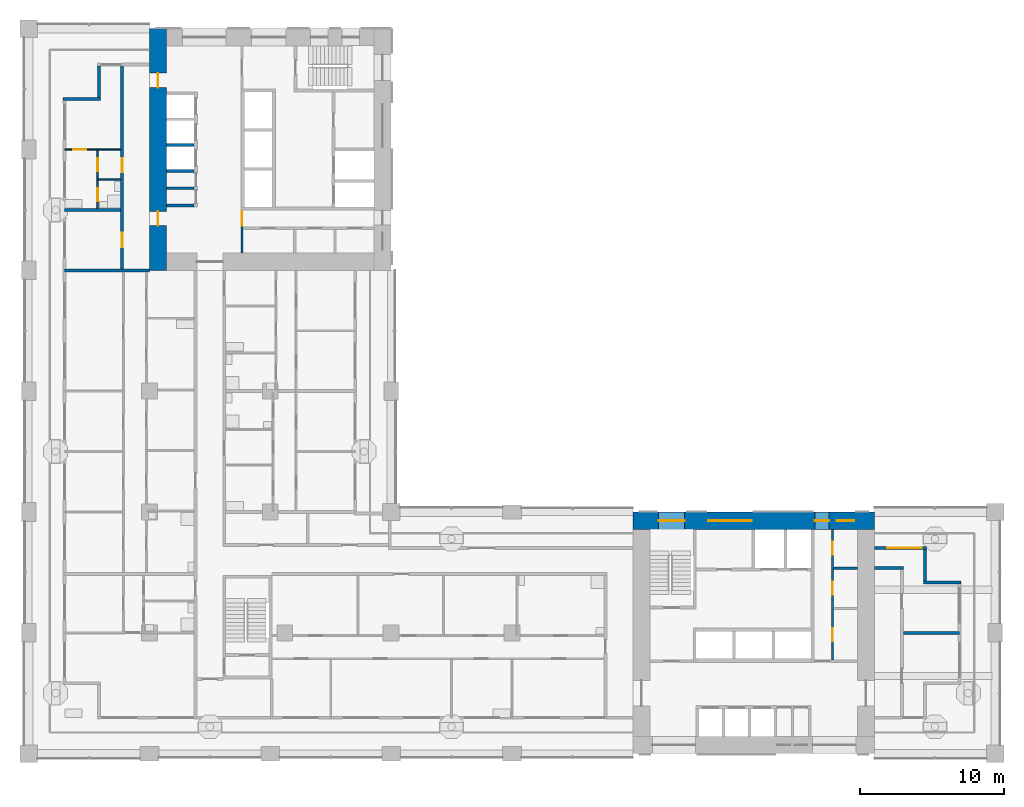
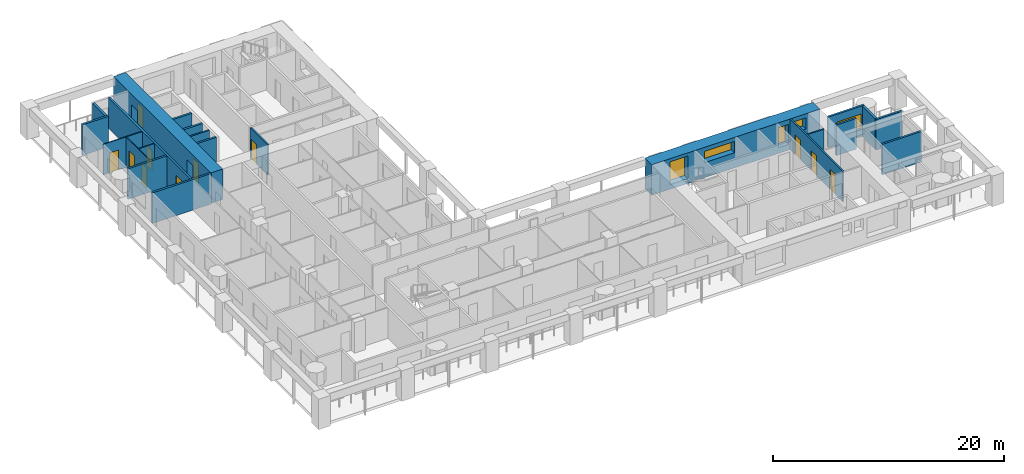
# One storey, part 6 of 18: 22 walls, 11 doors, 5 windows, 16 openings.
"""IFC4 building model written with IfcOpenShell, lengths in metres."""

from ifc_helpers import new_model, si_unit, direction, frame, frame_2d, origin, place, context, subcontext, project, spatial, rectangle, extrude, material, layer, layer_set, type_object, element, fill, save


model = new_model("IFC4")

# Units and contexts
model_context = context("Model", 3, precision=1e-05, world=origin(), true_north=direction((0.0, 1.0)))
body_context = subcontext(model_context, "Body", "Model", "MODEL_VIEW")
ifc_project = project(units=[si_unit("LENGTHUNIT", "METRE"), si_unit("AREAUNIT", "SQUARE_METRE"), si_unit("VOLUMEUNIT", "CUBIC_METRE"), si_unit("PLANEANGLEUNIT", "RADIAN"), si_unit("MASSUNIT", "GRAM", prefix="KILO")], contexts=[model_context])

# Site, building, storey
site_placement = place(None, origin())
site = spatial("IfcSite", under=ifc_project, at=site_placement, CompositionType="ELEMENT")
building_placement = place(site_placement, origin())
building = spatial("IfcBuilding", under=site, at=building_placement, Name="Vermilion Gate Residences", CompositionType="ELEMENT")
storey_placement = place(building_placement, frame((0.0, 0.0, 84.699951171875)))
storey = spatial("IfcBuildingStorey", under=building, at=storey_placement, Name="L20", CompositionType="ELEMENT", Elevation=84.699951171875)

# Wall
ifc_material_1 = material(Name="Masonry blockwork", Category="masonry")
ifc_layer_1 = layer(ifc_material_1, 0.14990234375)
ifc_layer_set_1 = layer_set([ifc_layer_1], Name="BLOCKWORK PARTITION 150 EI 120")
wall_type_1 = type_object("IfcWallType", Name="BLOCKWORK PARTITION 150 EI 120", PredefinedType="PARTITIONING", material=ifc_layer_set_1)
wall_1_placement = place(storey_placement, frame((55.949951171875, 21.284912109375, 0.0), z_axis=(0.0, 0.0, 1.0), x_axis=(1.0, 0.0, 0.0)))
element("IfcWall", 1, at=wall_1_placement, inside=storey, type_object=wall_type_1, Name="Core room partition A20-ES-P1", PredefinedType="PARTITIONING", context=body_context, shape_type="SweptSolid", body=[
    extrude(rectangle(XDim=1.650146484375, YDim=0.14990234375, at=frame_2d((0.8251953125, 0.0))), origin(), (0.0, 0.0, 1.0), 3.219970703125),
])

# Wall, openings, doors
wall_2_placement = place(storey_placement, frame((55.875, 14.89990234375, 0.0), z_axis=(0.0, 0.0, 1.0), x_axis=(0.0, 1.0, 0.0)))
wall_2 = element("IfcWall", 2, at=wall_2_placement, inside=storey, type_object=wall_type_1, Name="Core room partition A20-ES-W", PredefinedType="PARTITIONING", context=body_context, shape_type="SweptSolid", body=[
    extrude(rectangle(XDim=9.10009765625, YDim=0.14990234375, at=frame_2d((4.550048828125, 0.0))), origin(), (0.0, 0.0, 1.0), 3.219970703125),
])
opening_1_placement = place(wall_2_placement, frame((1.31005859375, 0.0, 0.0)))
opening_1 = element("IfcOpeningElement", 3, at=opening_1_placement, cuts=wall_2, Name="Opening DK20014", PredefinedType="OPENING", context=body_context, shape_type="SweptSolid", body=[
    extrude(rectangle(XDim=0.89990234375, YDim=2.10009765625, at=frame_2d((0.449951171875, 1.050048828125))), frame((0.0, 0.0849609375, 0.0), z_axis=(0.0, -1.0, 0.0), x_axis=(1.0, 0.0, 0.0)), (0.0, 0.0, 1.0), 0.169921875),
])
opening_2_placement = place(wall_2_placement, frame((4.5400390625, 0.0, 0.0)))
opening_2 = element("IfcOpeningElement", 4, at=opening_2_placement, cuts=wall_2, Name="Opening DK20015", PredefinedType="OPENING", context=body_context, shape_type="SweptSolid", body=[
    extrude(rectangle(XDim=0.89990234375, YDim=2.10009765625, at=frame_2d((0.449951171875, 1.050048828125))), frame((0.0, 0.0849609375, 0.0), z_axis=(0.0, -1.0, 0.0), x_axis=(1.0, 0.0, 0.0)), (0.0, 0.0, 1.0), 0.169921875),
])
opening_3_placement = place(wall_2_placement, frame((7.330078125, 0.0, 0.0)))
opening_3 = element("IfcOpeningElement", 5, at=opening_3_placement, cuts=wall_2, Name="Opening DK20016", PredefinedType="OPENING", context=body_context, shape_type="SweptSolid", body=[
    extrude(rectangle(XDim=0.89990234375, YDim=2.10009765625, at=frame_2d((0.449951171875, 1.050048828125))), frame((0.0, 0.0849609375, 0.0), z_axis=(0.0, -1.0, 0.0), x_axis=(1.0, 0.0, 0.0)), (0.0, 0.0, 1.0), 0.169921875),
])
ifc_material_2 = material(Name="Steel", Category="steel")
door_type_1 = type_object("IfcDoorType", Name="SERVICE ROOM DOOR FD60 900 X 2100", OperationType="SINGLE_SWING_LEFT", PredefinedType="DOOR", material=ifc_material_2)
door_1_placement = place(opening_1_placement, frame((0.89990234375, 0.0, 0.0), z_axis=(0.0, 0.0, 1.0), x_axis=(-1.0, 0.0, 0.0)))
door_1 = element("IfcDoor", 6, at=door_1_placement, inside=storey, type_object=door_type_1, Name="Parcel room A20", OperationType="SINGLE_SWING_RIGHT", OverallHeight=2.10009765625, OverallWidth=0.89990234375, PredefinedType="DOOR", context=body_context, shape_type="SweptSolid", body=[
    extrude(rectangle(XDim=0.89990234375, YDim=2.10009765625, at=frame_2d((0.449951171875, 1.050048828125))), frame((0.0, 0.02490234375, 0.0), z_axis=(0.0, -1.0, 0.0), x_axis=(1.0, 0.0, 0.0)), (0.0, 0.0, 1.0), 0.050048828125),
])
fill(opening_1, door_1)
door_2_placement = place(opening_2_placement, frame((0.89990234375, 0.0, 0.0), z_axis=(0.0, 0.0, 1.0), x_axis=(-1.0, 0.0, 0.0)))
door_2 = element("IfcDoor", 7, at=door_2_placement, inside=storey, type_object=door_type_1, Name="Cleaner's store A20", OperationType="SINGLE_SWING_RIGHT", OverallHeight=2.10009765625, OverallWidth=0.89990234375, PredefinedType="DOOR", context=body_context, shape_type="SweptSolid", body=[
    extrude(rectangle(XDim=0.89990234375, YDim=2.10009765625, at=frame_2d((0.449951171875, 1.050048828125))), frame((0.0, 0.02490234375, 0.0), z_axis=(0.0, -1.0, 0.0), x_axis=(1.0, 0.0, 0.0)), (0.0, 0.0, 1.0), 0.050048828125),
])
fill(opening_2, door_2)
door_3_placement = place(opening_3_placement, frame((0.89990234375, 0.0, 0.0), z_axis=(0.0, 0.0, 1.0), x_axis=(-1.0, 0.0, 0.0)))
door_3 = element("IfcDoor", 8, at=door_3_placement, inside=storey, type_object=door_type_1, Name="Electrical room A20", OperationType="SINGLE_SWING_LEFT", OverallHeight=2.10009765625, OverallWidth=0.89990234375, PredefinedType="DOOR", context=body_context, shape_type="SweptSolid", body=[
    extrude(rectangle(XDim=0.89990234375, YDim=2.10009765625, at=frame_2d((0.449951171875, 1.050048828125))), frame((0.0, 0.02490234375, 0.0), z_axis=(0.0, -1.0, 0.0), x_axis=(1.0, 0.0, 0.0)), (0.0, 0.0, 1.0), 0.050048828125),
])
fill(opening_3, door_3)

# Wall
wall_3_placement = place(storey_placement, frame((9.60009765625, 47.699951171875, 0.0), z_axis=(0.0, 0.0, 1.0), x_axis=(1.0, 0.0, 0.0)))
element("IfcWall", 9, at=wall_3_placement, inside=storey, type_object=wall_type_1, Name="Core room partition B20-SR-P0", PredefinedType="PARTITIONING", context=body_context, shape_type="SweptSolid", body=[
    extrude(rectangle(XDim=1.89990234375, YDim=0.14990234375, at=frame_2d((0.949951171875, 0.0))), origin(), (0.0, 0.0, 1.0), 3.219970703125),
])

# Wall, opening, door
wall_4_placement = place(storey_placement, frame((14.824951171875, 46.199951171875, 0.0), z_axis=(0.0, 0.0, 1.0), x_axis=(0.0, -1.0, 0.0)))
wall_4 = element("IfcWall", 10, at=wall_4_placement, inside=storey, type_object=wall_type_1, Name="Core room partition B20-ES-S", PredefinedType="PARTITIONING", context=body_context, shape_type="SweptSolid", body=[
    extrude(rectangle(XDim=3.0, YDim=0.14990234375, at=frame_2d((1.5, 0.0))), origin(), (0.0, 0.0, 1.0), 3.219970703125),
])
opening_4_placement = place(wall_4_placement, frame((0.10009765625, 0.0, 0.0)))
opening_4 = element("IfcOpeningElement", 11, at=opening_4_placement, cuts=wall_4, Name="Opening DK20114", PredefinedType="OPENING", context=body_context, shape_type="SweptSolid", body=[
    extrude(rectangle(XDim=1.0, YDim=2.10009765625, at=frame_2d((0.5, 1.050048828125))), frame((0.0, 0.0849609375, 0.0), z_axis=(0.0, -1.0, 0.0), x_axis=(1.0, 0.0, 0.0)), (0.0, 0.0, 1.0), 0.169921875),
])
ifc_material_3 = material(Name="Steel", Category="steel")
door_type_2 = type_object("IfcDoorType", Name="FIRE DOOR FD60 1000 X 2100", OperationType="SINGLE_SWING_LEFT", PredefinedType="DOOR", material=ifc_material_3)
door_4_placement = place(opening_4_placement, frame((1.0, 0.0, 0.0), z_axis=(0.0, 0.0, 1.0), x_axis=(-1.0, 0.0, 0.0)))
door_4 = element("IfcDoor", 12, at=door_4_placement, inside=storey, type_object=door_type_2, Name="Service corridor door B20", OperationType="SINGLE_SWING_LEFT", OverallHeight=2.10009765625, OverallWidth=1.0, PredefinedType="DOOR", context=body_context, shape_type="SweptSolid", body=[
    extrude(rectangle(XDim=1.0, YDim=2.10009765625, at=frame_2d((0.5, 1.050048828125))), frame((0.0, 0.02490234375, 0.0), z_axis=(0.0, -1.0, 0.0), x_axis=(1.0, 0.0, 0.0)), (0.0, 0.0, 1.0), 0.050048828125),
])
fill(opening_4, door_4)

# Walls
ifc_material_4 = material(Name="Insulated steel stud wall with terracotta rainscreen", Category="masonry")
ifc_layer_2 = layer(ifc_material_4, 0.199951171875)
ifc_layer_set_2 = layer_set([ifc_layer_2], Name="EXTERNAL WALL 200 TERRACOTTA RAINSCREEN")
wall_type_2 = type_object("IfcWallType", Name="EXTERNAL WALL 200 TERRACOTTA RAINSCREEN", PredefinedType="SOLIDWALL", material=ifc_layer_set_2)
wall_5_placement = place(storey_placement, frame((4.89990234375, 56.199951171875, 0.0), z_axis=(0.0, 0.0, 1.0), x_axis=(0.0, -1.0, 0.0)))
element("IfcWall", 13, at=wall_5_placement, inside=storey, type_object=wall_type_2, Name="External wall", PredefinedType="SOLIDWALL", context=body_context, shape_type="SweptSolid", body=[
    extrude(rectangle(XDim=2.199951171875, YDim=0.199951171875, at=frame_2d((1.10009765625, 0.0))), origin(), (0.0, 0.0, 1.0), 3.219970703125),
])
for number, where, z_axis, x_axis, name in (
    (14, (5.0, 53.89990234375, 0.0), (0.0, 0.0, 1.0), (-1.0, 0.0, 0.0), "External wall"),
    (15, (64.800048828125, 20.300048828125, 0.0), (0.0, 0.0, 1.0), (-1.0, 0.0, 0.0), "External wall"),
):
    element("IfcWall", number, at=place(storey_placement, frame(where, z_axis=z_axis, x_axis=x_axis)), inside=storey, type_object=wall_type_2, Name=name, PredefinedType="SOLIDWALL", context=body_context, shape_type="SweptSolid", body=[
        extrude(rectangle(XDim=2.60009765625, YDim=0.199951171875, at=frame_2d((1.300048828125, 0.0))), origin(), (0.0, 0.0, 1.0), 3.219970703125),
    ])
wall_6_placement = place(storey_placement, frame((62.300048828125, 20.39990234375, 0.0), z_axis=(0.0, 0.0, 1.0), x_axis=(0.0, 1.0, 0.0)))
element("IfcWall", 16, at=wall_6_placement, inside=storey, type_object=wall_type_2, Name="External wall", PredefinedType="SOLIDWALL", context=body_context, shape_type="SweptSolid", body=[
    extrude(rectangle(XDim=2.2001953125, YDim=0.199951171875, at=frame_2d((1.10009765625, 0.0))), origin(), (0.0, 0.0, 1.0), 3.219970703125),
])

# Wall, opening, window
wall_7_placement = place(storey_placement, frame((62.39990234375, 22.699951171875, 0.0), z_axis=(0.0, 0.0, 1.0), x_axis=(-1.0, 0.0, 0.0)))
wall_7 = element("IfcWall", 17, at=wall_7_placement, inside=storey, type_object=wall_type_2, Name="External wall", PredefinedType="SOLIDWALL", context=body_context, shape_type="SweptSolid", body=[
    extrude(rectangle(XDim=3.599853515625, YDim=0.199951171875, at=frame_2d((1.7998046875, 0.0))), origin(), (0.0, 0.0, 1.0), 3.219970703125),
])
opening_5_placement = place(wall_7_placement, frame((0.300048828125, 0.0, 0.89990234375)))
opening_5 = element("IfcOpeningElement", 18, at=opening_5_placement, cuts=wall_7, Name="Opening WE20023", PredefinedType="OPENING", context=body_context, shape_type="SweptSolid", body=[
    extrude(rectangle(XDim=2.39990234375, YDim=1.5, at=frame_2d((1.199951171875, 0.75))), frame((0.0, 0.10986328125, 0.0), z_axis=(0.0, -1.0, 0.0), x_axis=(1.0, 0.0, 0.0)), (0.0, 0.0, 1.0), 0.219970703125),
])
ifc_material_5 = material(Name="Aluminium and clear glass", Category="aluminium")
window_type_1 = type_object("IfcWindowType", Name="WINDOW 2400 X 1500", PartitioningType="SINGLE_PANEL", PredefinedType="WINDOW", material=ifc_material_5)
window_1_placement = place(opening_5_placement, origin())
window_1 = element("IfcWindow", 19, at=window_1_placement, inside=storey, type_object=window_type_1, Name="Window", OverallHeight=1.5, OverallWidth=2.39990234375, PartitioningType="SINGLE_PANEL", PredefinedType="WINDOW", context=body_context, shape_type="SweptSolid", body=[
    extrude(rectangle(XDim=2.39990234375, YDim=1.5, at=frame_2d((1.199951171875, 0.75))), frame((0.0, 0.030029296875, 0.0), z_axis=(0.0, -1.0, 0.0), x_axis=(1.0, 0.0, 0.0)), (0.0, 0.0, 1.0), 0.06005859375),
])
fill(opening_5, window_1)

# Wall
ifc_material_6 = material(Name="Plasterboard on steel studs", Category="steel")
ifc_layer_3 = layer(ifc_material_6, 0.10009765625)
ifc_layer_set_3 = layer_set([ifc_layer_3], Name="PARTITION 100")
wall_type_3 = type_object("IfcWallType", Name="PARTITION 100", PredefinedType="PARTITIONING", material=ifc_layer_set_3)
wall_8_placement = place(storey_placement, frame((4.85009765625, 48.300048828125, 0.0), z_axis=(0.0, 0.0, 1.0), x_axis=(1.0, 0.0, 0.0)))
element("IfcWall", 20, at=wall_8_placement, inside=storey, type_object=wall_type_3, Name="Partition", PredefinedType="PARTITIONING", context=body_context, shape_type="SweptSolid", body=[
    extrude(rectangle(XDim=1.5498046875, YDim=0.10009765625, at=frame_2d((0.77490234375, 0.0))), origin(), (0.0, 0.0, 1.0), 3.219970703125),
])

# Wall, opening, door
wall_9_placement = place(storey_placement, frame((2.5, 50.39990234375, 0.0), z_axis=(0.0, 0.0, 1.0), x_axis=(1.0, 0.0, 0.0)))
wall_9 = element("IfcWall", 21, at=wall_9_placement, inside=storey, type_object=wall_type_3, Name="Partition", PredefinedType="PARTITIONING", context=body_context, shape_type="SweptSolid", body=[
    extrude(rectangle(XDim=3.89990234375, YDim=0.10009765625, at=frame_2d((1.949951171875, 0.0))), origin(), (0.0, 0.0, 1.0), 3.219970703125),
])
opening_6_placement = place(wall_9_placement, frame((0.60009765625, 0.0, 0.0)))
opening_6 = element("IfcOpeningElement", 22, at=opening_6_placement, cuts=wall_9, Name="Opening DA19014", PredefinedType="OPENING", context=body_context, shape_type="SweptSolid", body=[
    extrude(rectangle(XDim=0.89990234375, YDim=2.10009765625, at=frame_2d((0.449951171875, 1.050048828125))), frame((0.0, 0.06005859375, 0.0), z_axis=(0.0, -1.0, 0.0), x_axis=(1.0, 0.0, 0.0)), (0.0, 0.0, 1.0), 0.1201171875),
])
ifc_material_7 = material(Name="Timber", Category="wood")
door_type_3 = type_object("IfcDoorType", Name="INTERIOR DOOR 900 X 2100", OperationType="SINGLE_SWING_LEFT", PredefinedType="DOOR", material=ifc_material_7)
door_5_placement = place(opening_6_placement, frame((0.89990234375, 0.0, 0.0), z_axis=(0.0, 0.0, 1.0), x_axis=(-1.0, 0.0, 0.0)))
door_5 = element("IfcDoor", 23, at=door_5_placement, inside=storey, type_object=door_type_3, Name="Interior door", OperationType="SINGLE_SWING_RIGHT", OverallHeight=2.10009765625, OverallWidth=0.89990234375, PredefinedType="DOOR", context=body_context, shape_type="SweptSolid", body=[
    extrude(rectangle(XDim=0.89990234375, YDim=2.10009765625, at=frame_2d((0.449951171875, 1.050048828125))), frame((0.0, 0.02490234375, 0.0), z_axis=(0.0, -1.0, 0.0), x_axis=(1.0, 0.0, 0.0)), (0.0, 0.0, 1.0), 0.050048828125),
])
fill(opening_6, door_5)

# Wall, openings, doors
wall_10_placement = place(storey_placement, frame((4.800048828125, 46.300048828125, 0.0), z_axis=(0.0, 0.0, 1.0), x_axis=(0.0, 1.0, 0.0)))
wall_10 = element("IfcWall", 24, at=wall_10_placement, inside=storey, type_object=wall_type_3, Name="Partition", PredefinedType="PARTITIONING", context=body_context, shape_type="SweptSolid", body=[
    extrude(rectangle(XDim=4.050048828125, YDim=0.10009765625, at=frame_2d((2.02490234375, 0.0))), origin(), (0.0, 0.0, 1.0), 3.219970703125),
])
opening_7_placement = place(wall_10_placement, frame((2.60009765625, 0.0, 0.0)))
opening_7 = element("IfcOpeningElement", 25, at=opening_7_placement, cuts=wall_10, Name="Opening DA19015", PredefinedType="OPENING", context=body_context, shape_type="SweptSolid", body=[
    extrude(rectangle(XDim=0.89990234375, YDim=2.10009765625, at=frame_2d((0.449951171875, 1.050048828125))), frame((0.0, 0.06005859375, 0.0), z_axis=(0.0, -1.0, 0.0), x_axis=(1.0, 0.0, 0.0)), (0.0, 0.0, 1.0), 0.1201171875),
])
opening_8_placement = place(wall_10_placement, frame((0.5, 0.0, 0.0)))
opening_8 = element("IfcOpeningElement", 26, at=opening_8_placement, cuts=wall_10, Name="Opening DA19016", PredefinedType="OPENING", context=body_context, shape_type="SweptSolid", body=[
    extrude(rectangle(XDim=0.89990234375, YDim=2.10009765625, at=frame_2d((0.449951171875, 1.050048828125))), frame((0.0, 0.06005859375, 0.0), z_axis=(0.0, -1.0, 0.0), x_axis=(1.0, 0.0, 0.0)), (0.0, 0.0, 1.0), 0.1201171875),
])
door_6_placement = place(opening_7_placement, origin())
door_6 = element("IfcDoor", 27, at=door_6_placement, inside=storey, type_object=door_type_3, Name="Interior door", OperationType="SINGLE_SWING_RIGHT", OverallHeight=2.10009765625, OverallWidth=0.89990234375, PredefinedType="DOOR", context=body_context, shape_type="SweptSolid", body=[
    extrude(rectangle(XDim=0.89990234375, YDim=2.10009765625, at=frame_2d((0.449951171875, 1.050048828125))), frame((0.0, 0.02490234375, 0.0), z_axis=(0.0, -1.0, 0.0), x_axis=(1.0, 0.0, 0.0)), (0.0, 0.0, 1.0), 0.050048828125),
])
fill(opening_7, door_6)
door_7_placement = place(opening_8_placement, frame((0.89990234375, 0.0, 0.0), z_axis=(0.0, 0.0, 1.0), x_axis=(-1.0, 0.0, 0.0)))
door_7 = element("IfcDoor", 28, at=door_7_placement, inside=storey, type_object=door_type_3, Name="Interior door", OperationType="SINGLE_SWING_RIGHT", OverallHeight=2.10009765625, OverallWidth=0.89990234375, PredefinedType="DOOR", context=body_context, shape_type="SweptSolid", body=[
    extrude(rectangle(XDim=0.89990234375, YDim=2.10009765625, at=frame_2d((0.449951171875, 1.050048828125))), frame((0.0, 0.02490234375, 0.0), z_axis=(0.0, -1.0, 0.0), x_axis=(1.0, 0.0, 0.0)), (0.0, 0.0, 1.0), 0.050048828125),
])
fill(opening_8, door_7)

# Walls
ifc_material_8 = material(Name="Fire-rated plasterboard on steel studs", Category="steel")
ifc_layer_4 = layer(ifc_material_8, 0.199951171875)
ifc_layer_set_4 = layer_set([ifc_layer_4], Name="PARTY WALL 200 EI 120")
wall_type_4 = type_object("IfcWallType", Name="PARTY WALL 200 EI 120", PredefinedType="PARTITIONING", material=ifc_layer_set_4)
wall_11_placement = place(storey_placement, frame((60.800048828125, 16.800048828125, 0.0), z_axis=(0.0, 0.0, 1.0), x_axis=(1.0, 0.0, 0.0)))
element("IfcWall", 29, at=wall_11_placement, inside=storey, type_object=wall_type_4, Name="Party and corridor wall", PredefinedType="PARTITIONING", context=body_context, shape_type="SweptSolid", body=[
    extrude(rectangle(XDim=3.89990234375, YDim=0.199951171875, at=frame_2d((1.949951171875, 0.0))), origin(), (0.0, 0.0, 1.0), 3.219970703125),
])
wall_12_placement = place(storey_placement, frame((58.800048828125, 21.300048828125, 0.0), z_axis=(0.0, 0.0, 1.0), x_axis=(1.0, 0.0, 0.0)))
element("IfcWall", 30, at=wall_12_placement, inside=storey, type_object=wall_type_4, Name="Party and corridor wall", PredefinedType="PARTITIONING", context=body_context, shape_type="SweptSolid", body=[
    extrude(rectangle(XDim=2.0, YDim=0.199951171875, at=frame_2d((1.0, 0.0))), origin(), (0.0, 0.0, 1.0), 3.219970703125),
])
wall_13_placement = place(storey_placement, frame((2.5, 42.0, 0.0), z_axis=(0.0, 0.0, 1.0), x_axis=(1.0, 0.0, 0.0)))
element("IfcWall", 31, at=wall_13_placement, inside=storey, type_object=wall_type_4, Name="Party and corridor wall", PredefinedType="PARTITIONING", context=body_context, shape_type="SweptSolid", body=[
    extrude(rectangle(XDim=5.89990234375, YDim=0.199951171875, at=frame_2d((2.949951171875, 0.0))), origin(), (0.0, 0.0, 1.0), 3.219970703125),
])
wall_14_placement = place(storey_placement, frame((2.5, 46.199951171875, 0.0), z_axis=(0.0, 0.0, 1.0), x_axis=(1.0, 0.0, 0.0)))
element("IfcWall", 32, at=wall_14_placement, inside=storey, type_object=wall_type_4, Name="Party and corridor wall", PredefinedType="PARTITIONING", context=body_context, shape_type="SweptSolid", body=[
    extrude(rectangle(XDim=3.89990234375, YDim=0.199951171875, at=frame_2d((1.949951171875, 0.0))), origin(), (0.0, 0.0, 1.0), 3.219970703125),
])

# Wall, openings, doors
wall_15_placement = place(storey_placement, frame((6.5, 42.10009765625, 0.0), z_axis=(0.0, 0.0, 1.0), x_axis=(0.0, 1.0, 0.0)))
wall_15 = element("IfcWall", 33, at=wall_15_placement, inside=storey, type_object=wall_type_4, Name="Party and corridor wall", PredefinedType="PARTITIONING", context=body_context, shape_type="SweptSolid", body=[
    extrude(rectangle(XDim=14.199951171875, YDim=0.199951171875, at=frame_2d((7.10009765625, 0.0))), origin(), (0.0, 0.0, 1.0), 3.219970703125),
])
opening_9_placement = place(wall_15_placement, frame((1.5, 0.0, 0.0)))
opening_9 = element("IfcOpeningElement", 34, at=opening_9_placement, cuts=wall_15, Name="Opening DA19017", PredefinedType="OPENING", context=body_context, shape_type="SweptSolid", body=[
    extrude(rectangle(XDim=1.0, YDim=2.10009765625, at=frame_2d((0.5, 1.050048828125))), frame((0.0, 0.10986328125, 0.0), z_axis=(0.0, -1.0, 0.0), x_axis=(1.0, 0.0, 0.0)), (0.0, 0.0, 1.0), 0.219970703125),
])
opening_10_placement = place(wall_15_placement, frame((6.699951171875, 0.0, 0.0)))
opening_10 = element("IfcOpeningElement", 35, at=opening_10_placement, cuts=wall_15, Name="Opening DA19018", PredefinedType="OPENING", context=body_context, shape_type="SweptSolid", body=[
    extrude(rectangle(XDim=1.0, YDim=2.10009765625, at=frame_2d((0.5, 1.050048828125))), frame((0.0, 0.10986328125, 0.0), z_axis=(0.0, -1.0, 0.0), x_axis=(1.0, 0.0, 0.0)), (0.0, 0.0, 1.0), 0.219970703125),
])
ifc_material_9 = material(Name="Steel", Category="steel")
door_type_4 = type_object("IfcDoorType", Name="ENTRANCE DOOR 1000 X 2100 FD30", OperationType="SINGLE_SWING_LEFT", PredefinedType="DOOR", material=ifc_material_9)
door_8_placement = place(opening_9_placement, origin())
door_8 = element("IfcDoor", 36, at=door_8_placement, inside=storey, type_object=door_type_4, Name="Entrance door", OperationType="SINGLE_SWING_LEFT", OverallHeight=2.10009765625, OverallWidth=1.0, PredefinedType="DOOR", context=body_context, shape_type="SweptSolid", body=[
    extrude(rectangle(XDim=1.0, YDim=2.10009765625, at=frame_2d((0.5, 1.050048828125))), frame((0.0, 0.02490234375, 0.0), z_axis=(0.0, -1.0, 0.0), x_axis=(1.0, 0.0, 0.0)), (0.0, 0.0, 1.0), 0.050048828125),
])
fill(opening_9, door_8)
door_9_placement = place(opening_10_placement, origin())
door_9 = element("IfcDoor", 37, at=door_9_placement, inside=storey, type_object=door_type_4, Name="Entrance door", OperationType="SINGLE_SWING_LEFT", OverallHeight=2.10009765625, OverallWidth=1.0, PredefinedType="DOOR", context=body_context, shape_type="SweptSolid", body=[
    extrude(rectangle(XDim=1.0, YDim=2.10009765625, at=frame_2d((0.5, 1.050048828125))), frame((0.0, 0.02490234375, 0.0), z_axis=(0.0, -1.0, 0.0), x_axis=(1.0, 0.0, 0.0)), (0.0, 0.0, 1.0), 0.050048828125),
])
fill(opening_10, door_9)

# Walls
ifc_material_10 = material(Name="Concrete C60", Category="concrete")
ifc_layer_5 = layer(ifc_material_10, 0.199951171875)
ifc_layer_set_5 = layer_set([ifc_layer_5], Name="RC CORE INTERNAL WALL 200 C60")
wall_type_5 = type_object("IfcWallType", Name="RC CORE INTERNAL WALL 200 C60", PredefinedType="SHEAR", material=ifc_layer_set_5)
for number, where, z_axis, x_axis, name in (
    (38, (9.60009765625, 50.699951171875, 0.0), (0.0, 0.0, 1.0), (1.0, 0.0, 0.0), "Core internal wall B20-LR-D2"),
    (39, (9.60009765625, 48.89990234375, 0.0), (0.0, 0.0, 1.0), (1.0, 0.0, 0.0), "Core internal wall B20-LR-D3"),
    (40, (9.60009765625, 46.5, 0.0), (0.0, 0.0, 1.0), (1.0, 0.0, 0.0), "Core internal wall B20-LR-DE"),
):
    element("IfcWall", number, at=place(storey_placement, frame(where, z_axis=z_axis, x_axis=x_axis)), inside=storey, type_object=wall_type_5, Name=name, PredefinedType="SHEAR", context=body_context, shape_type="SweptSolid", body=[
        extrude(rectangle(XDim=1.89990234375, YDim=0.199951171875, at=frame_2d((0.949951171875, 0.0))), origin(), (0.0, 0.0, 1.0), 3.219970703125),
    ])

# Wall, openings, doors
ifc_material_11 = material(Name="Concrete C70", Category="concrete")
ifc_layer_6 = layer(ifc_material_11, 1.199951171875)
ifc_layer_set_6 = layer_set([ifc_layer_6], Name="RC CORE WALL 1200 C70")
wall_type_6 = type_object("IfcWallType", Name="RC CORE WALL 1200 C70", PredefinedType="SHEAR", material=ifc_layer_set_6)
wall_16_placement = place(storey_placement, frame((9.0, 58.800048828125, 0.0), z_axis=(0.0, 0.0, 1.0), x_axis=(0.0, -1.0, 0.0)))
wall_16 = element("IfcWall", 41, at=wall_16_placement, inside=storey, type_object=wall_type_6, Name="Core wall B20-OUT-B0", PredefinedType="SHEAR", context=body_context, shape_type="SweptSolid", body=[
    extrude(rectangle(XDim=16.800048828125, YDim=1.199951171875, at=frame_2d((8.39990234375, 0.0))), origin(), (0.0, 0.0, 1.0), 3.219970703125),
])
opening_11_placement = place(wall_16_placement, frame((3.10009765625, 0.0, 0.0)))
opening_11 = element("IfcOpeningElement", 42, at=opening_11_placement, cuts=wall_16, Name="Opening DK20101", PredefinedType="OPENING", context=body_context, shape_type="SweptSolid", body=[
    extrude(rectangle(XDim=1.0, YDim=2.10009765625, at=frame_2d((0.5, 1.050048828125))), frame((0.0, 0.60986328125, 0.0), z_axis=(0.0, -1.0, 0.0), x_axis=(1.0, 0.0, 0.0)), (0.0, 0.0, 1.0), 1.219970703125),
])
opening_12_placement = place(wall_16_placement, frame((12.699951171875, 0.0, 0.0)))
opening_12 = element("IfcOpeningElement", 43, at=opening_12_placement, cuts=wall_16, Name="Opening DK20102", PredefinedType="OPENING", context=body_context, shape_type="SweptSolid", body=[
    extrude(rectangle(XDim=1.0, YDim=2.10009765625, at=frame_2d((0.5, 1.050048828125))), frame((0.0, 0.60986328125, 0.0), z_axis=(0.0, -1.0, 0.0), x_axis=(1.0, 0.0, 0.0)), (0.0, 0.0, 1.0), 1.219970703125),
])
door_10_placement = place(opening_11_placement, origin())
door_10 = element("IfcDoor", 44, at=door_10_placement, inside=storey, type_object=door_type_2, Name="Core lobby side door B20", OperationType="SINGLE_SWING_RIGHT", OverallHeight=2.10009765625, OverallWidth=1.0, PredefinedType="DOOR", context=body_context, shape_type="SweptSolid", body=[
    extrude(rectangle(XDim=1.0, YDim=2.10009765625, at=frame_2d((0.5, 1.050048828125))), frame((0.0, 0.02490234375, 0.0), z_axis=(0.0, -1.0, 0.0), x_axis=(1.0, 0.0, 0.0)), (0.0, 0.0, 1.0), 0.050048828125),
])
fill(opening_11, door_10)
door_11_placement = place(opening_12_placement, origin())
door_11 = element("IfcDoor", 45, at=door_11_placement, inside=storey, type_object=door_type_2, Name="Core lobby side door B20", OperationType="SINGLE_SWING_LEFT", OverallHeight=2.10009765625, OverallWidth=1.0, PredefinedType="DOOR", context=body_context, shape_type="SweptSolid", body=[
    extrude(rectangle(XDim=1.0, YDim=2.10009765625, at=frame_2d((0.5, 1.050048828125))), frame((0.0, 0.02490234375, 0.0), z_axis=(0.0, -1.0, 0.0), x_axis=(1.0, 0.0, 0.0)), (0.0, 0.0, 1.0), 0.050048828125),
])
fill(opening_12, door_11)

# Wall, openings, windows
ifc_material_12 = material(Name="Concrete C70 red-oxide pigmented", Category="concrete")
ifc_layer_7 = layer(ifc_material_12, 1.199951171875)
ifc_layer_set_7 = layer_set([ifc_layer_7], Name="RC CORE WALL 1200 C70 RED OXIDE")
wall_type_7 = type_object("IfcWallType", Name="RC CORE WALL 1200 C70 RED OXIDE", PredefinedType="SHEAR", material=ifc_layer_set_7)
wall_17_placement = place(storey_placement, frame((42.0, 24.60009765625, 0.0), z_axis=(0.0, 0.0, 1.0), x_axis=(1.0, 0.0, 0.0)))
wall_17 = element("IfcWall", 46, at=wall_17_placement, inside=storey, type_object=wall_type_7, Name="Core wall A20-OUT-B1", PredefinedType="SHEAR", context=body_context, shape_type="SweptSolid", body=[
    extrude(rectangle(XDim=16.800048828125, YDim=1.199951171875, at=frame_2d((8.39990234375, 0.0))), origin(), (0.0, 0.0, 1.0), 3.219970703125),
])
opening_13_placement = place(wall_17_placement, frame((1.800048828125, 0.0, 0.5)))
opening_13 = element("IfcOpeningElement", 47, at=opening_13_placement, cuts=wall_17, Name="Opening WKA2005", PredefinedType="OPENING", context=body_context, shape_type="SweptSolid", body=[
    extrude(rectangle(XDim=1.800048828125, YDim=2.39990234375, at=frame_2d((0.89990234375, 1.199951171875))), frame((0.0, 0.60986328125, 0.0), z_axis=(0.0, -1.0, 0.0), x_axis=(1.0, 0.0, 0.0)), (0.0, 0.0, 1.0), 1.219970703125),
])
opening_14_placement = place(wall_17_placement, frame((5.25, 0.0, 1.60009765625)))
opening_14 = element("IfcOpeningElement", 48, at=opening_14_placement, cuts=wall_17, Name="Opening WKA2006", PredefinedType="OPENING", context=body_context, shape_type="SweptSolid", body=[
    extrude(rectangle(XDim=3.0, YDim=1.199951171875, at=frame_2d((1.5, 0.60009765625))), frame((0.0, 0.60986328125, 0.0), z_axis=(0.0, -1.0, 0.0), x_axis=(1.0, 0.0, 0.0)), (0.0, 0.0, 1.0), 1.219970703125),
])
opening_15_placement = place(wall_17_placement, frame((12.64990234375, 0.0, 0.60009765625)))
opening_15 = element("IfcOpeningElement", 49, at=opening_15_placement, cuts=wall_17, Name="Opening WKA2007", PredefinedType="OPENING", context=body_context, shape_type="SweptSolid", body=[
    extrude(rectangle(XDim=1.0, YDim=2.10009765625, at=frame_2d((0.5, 1.050048828125))), frame((0.0, 0.60986328125, 0.0), z_axis=(0.0, -1.0, 0.0), x_axis=(1.0, 0.0, 0.0)), (0.0, 0.0, 1.0), 1.219970703125),
])
opening_16_placement = place(wall_17_placement, frame((14.175048828125, 0.0, 1.60009765625)))
opening_16 = element("IfcOpeningElement", 50, at=opening_16_placement, cuts=wall_17, Name="Opening WKA2008", PredefinedType="OPENING", context=body_context, shape_type="SweptSolid", body=[
    extrude(rectangle(XDim=1.199951171875, YDim=1.199951171875, at=frame_2d((0.60009765625, 0.60009765625))), frame((0.0, 0.60986328125, 0.0), z_axis=(0.0, -1.0, 0.0), x_axis=(1.0, 0.0, 0.0)), (0.0, 0.0, 1.0), 1.219970703125),
])
ifc_material_13 = material(Name="Aluminium and clear glass", Category="aluminium")
window_type_2 = type_object("IfcWindowType", Name="CORE CORRIDOR WINDOW 1000 X 2100", PartitioningType="SINGLE_PANEL", PredefinedType="WINDOW", material=ifc_material_13)
window_2_placement = place(opening_15_placement, origin())
window_2 = element("IfcWindow", 51, at=window_2_placement, inside=storey, type_object=window_type_2, Name="Core corridor window", OverallHeight=2.10009765625, OverallWidth=1.0, PartitioningType="SINGLE_PANEL", PredefinedType="WINDOW", context=body_context, shape_type="SweptSolid", body=[
    extrude(rectangle(XDim=1.0, YDim=2.10009765625, at=frame_2d((0.5, 1.050048828125))), frame((0.0, 0.030029296875, 0.0), z_axis=(0.0, -1.0, 0.0), x_axis=(1.0, 0.0, 0.0)), (0.0, 0.0, 1.0), 0.06005859375),
])
fill(opening_15, window_2)
ifc_material_14 = material(Name="Aluminium frame with louvre blades", Category="aluminium")
window_type_3 = type_object("IfcWindowType", Name="CORE LOUVRE 1200 X 1200", PartitioningType="SINGLE_PANEL", PredefinedType="WINDOW", material=ifc_material_14)
window_3_placement = place(opening_16_placement, origin())
window_3 = element("IfcWindow", 52, at=window_3_placement, inside=storey, type_object=window_type_3, Name="Core louvre", OverallHeight=1.199951171875, OverallWidth=1.199951171875, PartitioningType="SINGLE_PANEL", PredefinedType="WINDOW", context=body_context, shape_type="SweptSolid", body=[
    extrude(rectangle(XDim=1.199951171875, YDim=1.199951171875, at=frame_2d((0.60009765625, 0.60009765625))), frame((0.0, 0.030029296875, 0.0), z_axis=(0.0, -1.0, 0.0), x_axis=(1.0, 0.0, 0.0)), (0.0, 0.0, 1.0), 0.06005859375),
])
fill(opening_16, window_3)
ifc_material_15 = material(Name="Aluminium frame with louvre blades", Category="aluminium")
window_type_4 = type_object("IfcWindowType", Name="CORE LOUVRE 3000 X 1200", PartitioningType="SINGLE_PANEL", PredefinedType="WINDOW", material=ifc_material_15)
window_4_placement = place(opening_14_placement, origin())
window_4 = element("IfcWindow", 53, at=window_4_placement, inside=storey, type_object=window_type_4, Name="Core louvre", OverallHeight=1.199951171875, OverallWidth=3.0, PartitioningType="SINGLE_PANEL", PredefinedType="WINDOW", context=body_context, shape_type="SweptSolid", body=[
    extrude(rectangle(XDim=3.0, YDim=1.199951171875, at=frame_2d((1.5, 0.60009765625))), frame((0.0, 0.030029296875, 0.0), z_axis=(0.0, -1.0, 0.0), x_axis=(1.0, 0.0, 0.0)), (0.0, 0.0, 1.0), 0.06005859375),
])
fill(opening_14, window_4)
ifc_material_16 = material(Name="Aluminium and clear glass", Category="aluminium")
window_type_5 = type_object("IfcWindowType", Name="CORE STAIR WINDOW 1800 X 2400", PartitioningType="SINGLE_PANEL", PredefinedType="WINDOW", material=ifc_material_16)
window_5_placement = place(opening_13_placement, origin())
window_5 = element("IfcWindow", 54, at=window_5_placement, inside=storey, type_object=window_type_5, Name="Core stair window", OverallHeight=2.39990234375, OverallWidth=1.800048828125, PartitioningType="SINGLE_PANEL", PredefinedType="WINDOW", context=body_context, shape_type="SweptSolid", body=[
    extrude(rectangle(XDim=1.800048828125, YDim=2.39990234375, at=frame_2d((0.89990234375, 1.199951171875))), frame((0.0, 0.030029296875, 0.0), z_axis=(0.0, -1.0, 0.0), x_axis=(1.0, 0.0, 0.0)), (0.0, 0.0, 1.0), 0.06005859375),
])
fill(opening_13, window_5)

save(model, "model.ifc")
